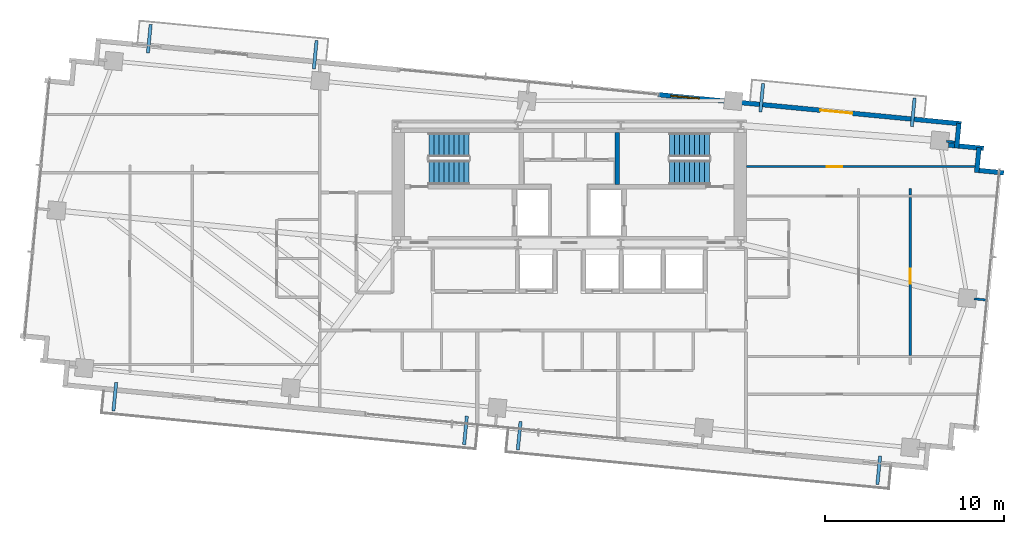
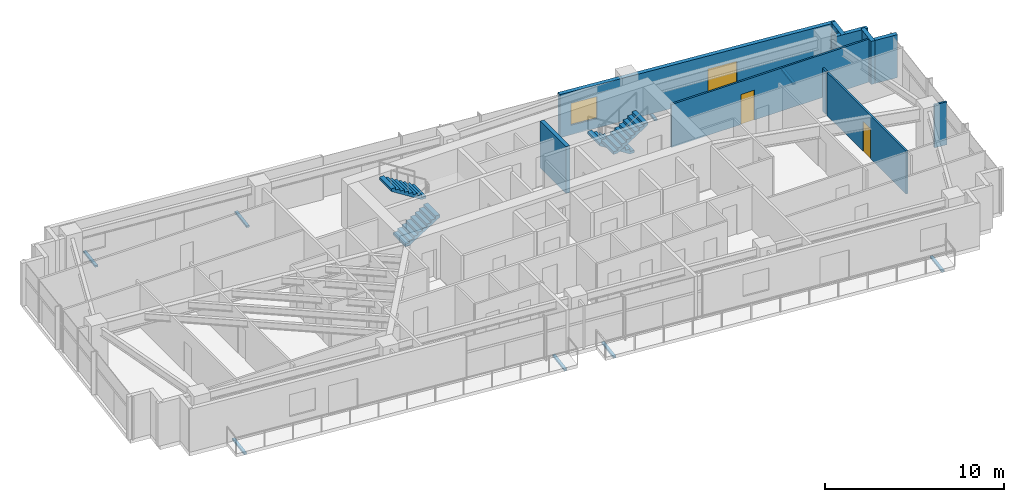
# One storey, part 17 of 19: 11 walls, 8 discrete accessories, 4 stair flights, 3 doors, 1 window, 4 openings, 2 elements without a shape of their own.
"""IFC4 building model written with IfcOpenShell, lengths in metres."""

import ifcopenshell
import ifcopenshell.guid

model = None  # the IFC model being written
_history = None  # IfcOwnerHistory: only IFC2X3 demands one
_inside = {}  # id of a spatial element -> (the spatial element, [elements in it])
_under = {}  # id of a project, library or spatial element -> (it, [spatial elements below it])
_declared = {}  # id of a project -> (the project, [libraries it declares])
_typed = {}  # id of a type object -> (the type object, [elements of that type])
_made_of = {}  # id of a material, layer set ... -> (it, [elements and type objects made of it])


def new_model(schema):
    """Start an empty IFC model of exactly this schema.

    Asked for "IFC4X3", IfcOpenShell would pick the latest addendum, in which some entities
    have other attributes; the version numbers below select the first issue.
    IFC2X3 requires an IfcOwnerHistory on every rooted entity: one is made here for all.
    """
    global model, _history
    if schema == "IFC4X3":
        model = ifcopenshell.file(schema_version=(4, 3, 0, 0))
    else:
        model = ifcopenshell.file(schema=schema)
    _inside.clear()
    _under.clear()
    _declared.clear()
    _typed.clear()
    _made_of.clear()
    _history = None
    if model.schema == "IFC2X3":
        org = make("IfcOrganization", Name="unknown")
        user = make(
            "IfcPersonAndOrganization",
            ThePerson=make("IfcPerson", FamilyName="unknown"),
            TheOrganization=org,
        )
        app = make(
            "IfcApplication",
            ApplicationDeveloper=org,
            Version="unknown",
            ApplicationFullName="unknown",
            ApplicationIdentifier="unknown",
        )
        _history = make(
            "IfcOwnerHistory",
            OwningUser=user,
            OwningApplication=app,
            ChangeAction="ADDED",
            CreationDate=0,
        )
    return model


def make(cls, **values):
    """One entity of the class cls with the attributes given. An attribute that is None is left unset."""
    return model.create_entity(
        cls, **{name: value for name, value in values.items() if value is not None}
    )


def rooted(cls, **values):
    """An entity with a GlobalId (a new one), such as an element, a storey or a relation."""
    return make(cls, GlobalId=ifcopenshell.guid.new(), OwnerHistory=_history, **values)


def si_unit(unit_type, name, prefix=None):
    """IfcSIUnit, for example si_unit("LENGTHUNIT", "METRE", prefix="MILLI")."""
    return make("IfcSIUnit", UnitType=unit_type, Prefix=prefix, Name=name)


def assignment(units):
    """IfcUnitAssignment: the units of a project."""
    return None if units is None else make("IfcUnitAssignment", Units=units)


def point(xyz):
    """IfcCartesianPoint."""
    return None if xyz is None else make("IfcCartesianPoint", Coordinates=xyz)


def direction(xyz):
    """IfcDirection."""
    return None if xyz is None else make("IfcDirection", DirectionRatios=xyz)


def frame(location, z_axis=None, x_axis=None):
    """IfcAxis2Placement3D, a coordinate frame: its origin and axes. An axis left out is left unset."""
    return make(
        "IfcAxis2Placement3D",
        Location=point(location),
        Axis=direction(z_axis),
        RefDirection=direction(x_axis),
    )


def frame_2d(location, x_axis=None):
    """IfcAxis2Placement2D, a coordinate frame in the plane: its origin and x axis."""
    return make(
        "IfcAxis2Placement2D", Location=point(location), RefDirection=direction(x_axis)
    )


def origin():
    """The frame at (0, 0, 0) with its axes left unset."""
    return frame((0.0, 0.0, 0.0))


def origin_2d():
    """The frame at (0, 0) in the plane with its x axis left unset."""
    return frame_2d((0.0, 0.0))


def place(relative_to, where):
    """IfcLocalPlacement: puts the frame where relative to a parent placement (None: the world)."""
    return make(
        "IfcLocalPlacement", PlacementRelTo=relative_to, RelativePlacement=where
    )


def context(
    kind, dimensions, precision=None, world=None, true_north=None, identifier=None
):
    """IfcGeometricRepresentationContext, for example the 3D "Model" context."""
    return make(
        "IfcGeometricRepresentationContext",
        ContextIdentifier=identifier,
        ContextType=kind,
        CoordinateSpaceDimension=dimensions,
        Precision=precision,
        WorldCoordinateSystem=world,
        TrueNorth=true_north,
    )


def subcontext(parent, identifier, kind, view, scale=None):
    """IfcGeometricRepresentationSubContext, for example "Body" below "Model"."""
    return make(
        "IfcGeometricRepresentationSubContext",
        ContextIdentifier=identifier,
        ContextType=kind,
        ParentContext=parent,
        TargetScale=scale,
        TargetView=view,
    )


def project(units=None, contexts=None):
    """IfcProject with its units and contexts."""
    return rooted(
        "IfcProject",
        Name="project",
        RepresentationContexts=contexts,
        UnitsInContext=assignment(units),
    )


def spatial(cls, under=None, at=None, **own):
    """A site, building, storey or space (cls), placed at a placement, below another one or the project."""
    s = rooted(cls, ObjectPlacement=at, **own)
    if under is not None:
        _under.setdefault(under.id(), (under, []))[1].append(s)
    return s


def polyline(points):
    """IfcPolyline through the points."""
    return make("IfcPolyline", Points=[point(p) for p in points])


def profile(cls, at=None, kind="AREA", **sizes):
    """A parametric profile (cls). Its sizes go by their IFC names, for example OverallWidth=200.0."""
    return make(cls, ProfileType=kind, Position=at, **sizes)


def rectangle(**sizes):
    """IfcRectangleProfileDef."""
    return profile("IfcRectangleProfileDef", **sizes)


def outline(outer, holes=None, kind="AREA"):
    """IfcArbitraryClosedProfileDef: a profile drawn as a closed curve; with holes, ...WithVoids."""
    if holes is None:
        return make("IfcArbitraryClosedProfileDef", ProfileType=kind, OuterCurve=outer)
    return make(
        "IfcArbitraryProfileDefWithVoids",
        ProfileType=kind,
        OuterCurve=outer,
        InnerCurves=holes,
    )


def extrude(swept, where, along, depth):
    """IfcExtrudedAreaSolid: the profile swept, set in the frame where, extruded along a direction by depth."""
    return make(
        "IfcExtrudedAreaSolid",
        SweptArea=swept,
        Position=where,
        ExtrudedDirection=direction(along),
        Depth=depth,
    )


def shape(context_of_items, identifier, shape_type, items):
    """IfcShapeRepresentation: the items that make up one representation, for example the "Body"."""
    return make(
        "IfcShapeRepresentation",
        ContextOfItems=context_of_items,
        RepresentationIdentifier=identifier,
        RepresentationType=shape_type,
        Items=items,
    )


def source(mapping_origin, context_of_items, identifier, shape_type, items):
    """IfcRepresentationMap: a shape defined once, which mapped items show again and again."""
    return make(
        "IfcRepresentationMap",
        MappingOrigin=mapping_origin,
        MappedRepresentation=shape(context_of_items, identifier, shape_type, items),
    )


def transform(
    local_origin,
    x_axis=None,
    y_axis=None,
    z_axis=None,
    scale=None,
    scale2=None,
    scale3=None,
    uniform=True,
):
    """IfcCartesianTransformationOperator3D, or its non-uniform kind. x_axis, y_axis, z_axis: its Axis1, 2, 3."""
    if uniform:
        return make(
            "IfcCartesianTransformationOperator3D",
            Axis1=direction(x_axis),
            Axis2=direction(y_axis),
            LocalOrigin=point(local_origin),
            Scale=scale,
            Axis3=direction(z_axis),
        )
    return make(
        "IfcCartesianTransformationOperator3DnonUniform",
        Axis1=direction(x_axis),
        Axis2=direction(y_axis),
        LocalOrigin=point(local_origin),
        Scale=scale,
        Axis3=direction(z_axis),
        Scale2=scale2,
        Scale3=scale3,
    )


def mapped(mapping_source, mapping_target):
    """IfcMappedItem: shows the shape of a source again, moved by a transform."""
    return make(
        "IfcMappedItem", MappingSource=mapping_source, MappingTarget=mapping_target
    )


def material(Name=None, Category=None):
    """IfcMaterial."""
    return make("IfcMaterial", Name=Name, Category=Category)


def layer(
    of_material, thickness, ventilated=None, Name=None, Category=None, Priority=None
):
    """IfcMaterialLayer: one layer of a wall or slab, of a material (None: an air gap)."""
    return make(
        "IfcMaterialLayer",
        Material=of_material,
        LayerThickness=thickness,
        IsVentilated=ventilated,
        Name=Name,
        Category=Category,
        Priority=Priority,
    )


def layer_set(layers, Name=None):
    """IfcMaterialLayerSet."""
    return make("IfcMaterialLayerSet", MaterialLayers=layers, LayerSetName=Name)


def made_of(thing, what):
    """Note that an element or type object is made of a material, layer set ...; save() writes the relation."""
    if what is not None:
        _made_of.setdefault(what.id(), (what, []))[1].append(thing)
    return thing


def type_object(cls, material=None, **own):
    """A type object (cls), such as IfcWallType, which elements share."""
    return made_of(rooted(cls, **own), material)


def type_shapes(of_type, sources):
    """Give a type object the sources (RepresentationMaps) that its elements show as mapped items."""
    of_type.RepresentationMaps = sources


def element(
    cls,
    number,
    at=None,
    inside=None,
    cuts=None,
    type_object=None,
    material=None,
    context=None,
    identifier="Body",
    shape_type=None,
    held_by="IfcProductDefinitionShape",
    body=None,
    shapes=None,
    **own,
):
    """One element of the class cls, such as IfcWall. Its Tag is "e" and its number.

    at: its placement. inside: the storey or other place that contains it. cuts: it is an
    opening in that element (IfcRelVoidsElement). A single representation is given by context,
    identifier, shape_type and body (its items); several are given by shapes. held_by: the class
    of the entity that holds the representations. save() writes the other relations.
    """
    e = rooted(cls, Tag="e%d" % number, ObjectPlacement=at, **own)
    if body is not None:
        shapes = [shape(context, identifier, shape_type, body)]
    if shapes is not None:
        e.Representation = make(held_by, Representations=shapes)
    if inside is not None:
        _inside.setdefault(inside.id(), (inside, []))[1].append(e)
    if cuts is not None:
        rooted(
            "IfcRelVoidsElement", RelatingBuildingElement=cuts, RelatedOpeningElement=e
        )
    if type_object is not None:
        _typed.setdefault(type_object.id(), (type_object, []))[1].append(e)
    return made_of(e, material)


def fill(opening, filler):
    """IfcRelFillsElement: the door or window that sits in an opening."""
    return rooted(
        "IfcRelFillsElement",
        RelatingOpeningElement=opening,
        RelatedBuildingElement=filler,
    )


def aggregate(whole, parts):
    """IfcRelAggregates: a whole, such as a stair, and the parts it consists of."""
    return rooted("IfcRelAggregates", RelatingObject=whole, RelatedObjects=parts)


def save(model, path):
    """Write the relations noted so far, then the file.

    IfcRelAggregates (storeys below a building ...), IfcRelContainedInSpatialStructure (elements
    in a storey), IfcRelDefinesByType, IfcRelAssociatesMaterial and IfcRelDeclares: one each for
    every whole, place, type object, material and project.
    """
    for whole, parts in _under.values():
        aggregate(whole, parts)
    for where, things in _inside.values():
        rooted(
            "IfcRelContainedInSpatialStructure",
            RelatedElements=things,
            RelatingStructure=where,
        )
    for kind, things in _typed.values():
        rooted("IfcRelDefinesByType", RelatedObjects=things, RelatingType=kind)
    for what, things in _made_of.values():
        rooted("IfcRelAssociatesMaterial", RelatedObjects=things, RelatingMaterial=what)
    for by, libraries in _declared.values():
        rooted("IfcRelDeclares", RelatingContext=by, RelatedDefinitions=libraries)
    model.write(path)


model = new_model("IFC4")

# Units and contexts
model_context = context("Model", 3, precision=1e-05, world=origin(), true_north=direction((0.0, 1.0)))
body_context = subcontext(model_context, "Body", "Model", "MODEL_VIEW")
ifc_project = project(units=[si_unit("LENGTHUNIT", "METRE"), si_unit("AREAUNIT", "SQUARE_METRE"), si_unit("VOLUMEUNIT", "CUBIC_METRE"), si_unit("PLANEANGLEUNIT", "RADIAN"), si_unit("MASSUNIT", "GRAM", prefix="KILO")], contexts=[model_context])

# Site, building, storey
site_placement = place(None, origin())
site = spatial("IfcSite", under=ifc_project, at=site_placement, CompositionType="ELEMENT")
building_placement = place(site_placement, origin())
building = spatial("IfcBuilding", under=site, at=building_placement, Name="Astriad Promenade Condominiums", CompositionType="ELEMENT")
storey_placement = place(building_placement, frame((0.0, 0.0, 150.199951171875)))
storey = spatial("IfcBuildingStorey", under=building, at=storey_placement, Name="L43", CompositionType="ELEMENT", Elevation=150.199951171875)

# Wall
ifc_material_1 = material(Name="Concrete C50/60", Category="concrete")
ifc_layer_1 = layer(ifc_material_1, 0.25)
ifc_layer_set_1 = layer_set([ifc_layer_1], Name="Concrete C50/60")
wall_type_1 = type_object("IfcWallType", Name="WALL-CORE-INT-250", PredefinedType="SOLIDWALL", material=ifc_layer_set_1)
wall_1_placement = place(storey_placement, frame((38.675048828125, 20.701904296875, 0.0), z_axis=(0.0, 0.0, 1.0), x_axis=(0.0, 1.0, 0.0)))
element("IfcWall", 1, at=wall_1_placement, inside=storey, type_object=wall_type_1, Name="CW-ST2-W-L43", PredefinedType="SOLIDWALL", context=body_context, shape_type="SweptSolid", body=[
    extrude(rectangle(XDim=2.89599609375, YDim=0.25, at=frame_2d((1.447998046875, 0.0))), origin(), (0.0, 0.0, 1.0), 3.199951171875),
])

# Wall, openings, door, window
ifc_material_2 = material(Name="Precast concrete C50/60", Category="concrete")
ifc_layer_2 = layer(ifc_material_2, 0.260009765625)
ifc_layer_set_2 = layer_set([ifc_layer_2], Name="Precast concrete C50/60")
wall_type_2 = type_object("IfcWallType", Name="WALL-EXT-TWR-260", PredefinedType="STANDARD", material=ifc_layer_set_2)
wall_2_placement = place(storey_placement, frame((40.9833984375, 25.726806640625, 0.0), z_axis=(0.0, 0.0, 1.0), x_axis=(0.995395844771, -0.095849424686, 0.0)))
wall_2 = element("IfcWall", 2, at=wall_2_placement, inside=storey, type_object=wall_type_2, Name="W-EXT-L43-N2", PredefinedType="STANDARD", context=body_context, shape_type="SweptSolid", body=[
    extrude(rectangle(XDim=17.009765625, YDim=0.260009765625, at=frame_2d((8.5048828125, 0.0))), origin(), (0.0, 0.0, 1.0), 2.93994140625),
])
opening_1_placement = place(wall_2_placement, frame((9.10009765625, 0.0, 0.0)))
opening_1 = element("IfcOpeningElement", 3, at=opening_1_placement, cuts=wall_2, Name="Opening BD-1822-SLD", PredefinedType="OPENING", context=body_context, shape_type="SweptSolid", body=[
    extrude(rectangle(XDim=1.800048828125, YDim=2.06005859375, at=frame_2d((0.89990234375, 1.030029296875))), frame((0.0, 0.139892578125, 0.0), z_axis=(0.0, -1.0, 0.0), x_axis=(1.0, 0.0, 0.0)), (0.0, 0.0, 1.0), 0.280029296875),
])
opening_2_placement = place(wall_2_placement, frame((0.699951171875, 0.0, 0.64990234375)))
opening_2 = element("IfcOpeningElement", 4, at=opening_2_placement, cuts=wall_2, Name="Opening WIN-TWR-1620", PredefinedType="OPENING", context=body_context, shape_type="SweptSolid", body=[
    extrude(rectangle(XDim=1.60009765625, YDim=1.5, at=frame_2d((0.800048828125, 0.75))), frame((0.0, 0.139892578125, 0.0), z_axis=(0.0, -1.0, 0.0), x_axis=(1.0, 0.0, 0.0)), (0.0, 0.0, 1.0), 0.280029296875),
])
ifc_material_3 = material(Name="Thermally Broken Aluminium Sliding Balcony Door", Category="aluminium")
door_type_1 = type_object("IfcDoorType", Name="BD-1822-SLD", OperationType="NOTDEFINED", PredefinedType="DOOR", material=ifc_material_3)
shared_shape_1 = source(origin(), body_context, "Body", "SweptSolid", [
    extrude(rectangle(XDim=1.800048828125, YDim=2.06005859375, at=frame_2d((0.89990234375, 1.030029296875))), frame((0.0, 0.02490234375, 0.0), z_axis=(0.0, -1.0, 0.0), x_axis=(1.0, 0.0, 0.0)), (0.0, 0.0, 1.0), 0.050048828125),
])
type_shapes(door_type_1, [shared_shape_1])
door_1_placement = place(opening_1_placement, origin())
door_1 = element("IfcDoor", 5, at=door_1_placement, inside=storey, type_object=door_type_1, Name="BD-L43-NE", OperationType="SLIDING_TO_RIGHT", OverallHeight=2.06005859375, OverallWidth=1.800048828125, PredefinedType="DOOR", context=body_context, shape_type="MappedRepresentation", body=[
    mapped(shared_shape_1, transform((0.0, 0.0, 0.0), scale=1.0)),
])
fill(opening_1, door_1)
ifc_material_4 = material(Name="Dark Tinted Triple-Glazed Aluminium Window", Category="aluminium")
window_type = type_object("IfcWindowType", Name="WIN-TWR-1620", PartitioningType="SINGLE_PANEL", PredefinedType="WINDOW", material=ifc_material_4)
shared_shape_2 = source(origin(), body_context, "Body", "SweptSolid", [
    extrude(rectangle(XDim=1.60009765625, YDim=1.5, at=frame_2d((0.800048828125, 0.75))), frame((0.0, 0.030029296875, 0.0), z_axis=(0.0, -1.0, 0.0), x_axis=(1.0, 0.0, 0.0)), (0.0, 0.0, 1.0), 0.06005859375),
])
type_shapes(window_type, [shared_shape_2])
window_placement = place(opening_2_placement, origin())
window = element("IfcWindow", 6, at=window_placement, inside=storey, type_object=window_type, Name="WIN-L43-NE", OverallHeight=1.5, OverallWidth=1.60009765625, PartitioningType="SINGLE_PANEL", PredefinedType="WINDOW", context=body_context, shape_type="MappedRepresentation", body=[
    mapped(shared_shape_2, transform((0.0, 0.0, 0.0), scale=1.0)),
])
fill(opening_2, window)

# Walls
wall_3_placement = place(storey_placement, frame((57.787109375, 24.123779296875, 0.0), z_axis=(0.0, 0.0, 1.0), x_axis=(-0.095915846097, -0.995389446633, 0.0)))
element("IfcWall", 7, at=wall_3_placement, inside=storey, type_object=wall_type_2, Name="W-SER-L43-09", PredefinedType="STANDARD", context=body_context, shape_type="SweptSolid", body=[
    extrude(rectangle(XDim=1.394775390625, YDim=0.260009765625, at=frame_2d((0.697265625, 0.0))), origin(), (0.0, 0.0, 1.0), 2.93994140625),
])
wall_4_placement = place(storey_placement, frame((57.199951171875, 22.909423828125, 0.0), z_axis=(0.0, 0.0, 1.0), x_axis=(0.995401789159, -0.095787672171, 0.0)))
element("IfcWall", 8, at=wall_4_placement, inside=storey, type_object=wall_type_2, Name="W-SER-L43-10", PredefinedType="STANDARD", context=body_context, shape_type="SweptSolid", body=[
    extrude(rectangle(XDim=1.977783203125, YDim=0.260009765625, at=frame_2d((0.98876953125, 0.0))), origin(), (0.0, 0.0, 1.0), 2.93994140625),
])
for number, where, z_axis, x_axis, name in (
    (9, (58.91162109375, 22.759765625, 0.0), (0.0, 0.0, 1.0), (-0.096072523012, -0.995374336781, 0.0), "W-SER-L43-11"),
    (10, (58.904541015625, 21.489501953125, 0.0), (0.0, 0.0, 1.0), (0.995391056452, -0.09589913835, 0.0), "W-SER-L43-12"),
):
    element("IfcWall", number, at=place(storey_placement, frame(where, z_axis=z_axis, x_axis=x_axis)), inside=storey, type_object=wall_type_2, Name=name, PredefinedType="STANDARD", context=body_context, shape_type="SweptSolid", body=[
        extrude(rectangle(XDim=1.39501953125, YDim=0.260009765625, at=frame_2d((0.697509765625, 0.0))), origin(), (0.0, 0.0, 1.0), 2.93994140625),
    ])

# Wall, opening, door
ifc_material_5 = material(Name="Acoustic Metal-Stud Gypsum Partition")
ifc_layer_3 = layer(ifc_material_5, 0.1201171875)
ifc_layer_set_3 = layer_set([ifc_layer_3], Name="Acoustic Metal-Stud Gypsum Partition")
wall_type_3 = type_object("IfcWallType", Name="WALL-PART-120", PredefinedType="PARTITIONING", material=ifc_layer_set_3)
wall_5_placement = place(storey_placement, frame((45.902099609375, 21.7060546875, 0.0), z_axis=(0.0, 0.0, 1.0), x_axis=(1.0, 0.0, 0.0)))
wall_5 = element("IfcWall", 11, at=wall_5_placement, inside=storey, type_object=wall_type_3, Name="PT-L43-E1-WDN2", PredefinedType="PARTITIONING", context=body_context, shape_type="SweptSolid", body=[
    extrude(rectangle(XDim=12.775146484375, YDim=0.1201171875, at=frame_2d((6.3876953125, 0.0))), origin(), (0.0, 0.0, 1.0), 2.93994140625),
])
opening_3_placement = place(wall_5_placement, frame((4.5009765625, 0.0, 0.0)))
opening_3 = element("IfcOpeningElement", 12, at=opening_3_placement, cuts=wall_5, Name="Opening D-INT-085", PredefinedType="OPENING", context=body_context, shape_type="SweptSolid", body=[
    extrude(rectangle(XDim=0.85009765625, YDim=2.050048828125, at=frame_2d((0.425048828125, 1.02490234375))), frame((0.0, 0.070068359375, 0.0), z_axis=(0.0, -1.0, 0.0), x_axis=(1.0, 0.0, 0.0)), (0.0, 0.0, 1.0), 0.14013671875),
])
ifc_material_6 = material(Name="Painted Solid-Core Timber Room Door", Category="wood")
door_type_2 = type_object("IfcDoorType", Name="D-INT-085", OperationType="NOTDEFINED", PredefinedType="DOOR", material=ifc_material_6)
shared_shape_3 = source(origin(), body_context, "Body", "SweptSolid", [
    extrude(rectangle(XDim=0.85009765625, YDim=2.050048828125, at=frame_2d((0.425048828125, 1.02490234375))), frame((0.0, 0.02490234375, 0.0), z_axis=(0.0, -1.0, 0.0), x_axis=(1.0, 0.0, 0.0)), (0.0, 0.0, 1.0), 0.050048828125),
])
type_shapes(door_type_2, [shared_shape_3])
door_2_placement = place(opening_3_placement, origin())
door_2 = element("IfcDoor", 13, at=door_2_placement, inside=storey, type_object=door_type_2, Name="D-WDN2-L43-E1", OperationType="SINGLE_SWING_RIGHT", OverallHeight=2.050048828125, OverallWidth=0.85009765625, PredefinedType="DOOR", context=body_context, shape_type="MappedRepresentation", body=[
    mapped(shared_shape_3, transform((0.0, 0.0, 0.0), scale=1.0)),
])
fill(opening_3, door_2)

wall_6_placement = place(storey_placement, frame((55.06103515625, 11.14306640625, 0.0), z_axis=(0.0, 0.0, 1.0), x_axis=(0.0, 1.0, 0.0)))
wall_6 = element("IfcWall", 14, at=wall_6_placement, inside=storey, type_object=wall_type_3, Name="PT-L43-E1-WDV5-S2", PredefinedType="PARTITIONING", context=body_context, shape_type="SweptSolid", body=[
    extrude(rectangle(XDim=8.847900390625, YDim=0.1201171875, at=frame_2d((4.423828125, 0.0))), origin(), (0.0, 0.0, 1.0), 2.93994140625),
])
opening_4_placement = place(wall_6_placement, frame((3.9990234375, 0.0, 0.0)))
opening_4 = element("IfcOpeningElement", 15, at=opening_4_placement, cuts=wall_6, Name="Opening D-INT-085", PredefinedType="OPENING", context=body_context, shape_type="SweptSolid", body=[
    extrude(rectangle(XDim=0.85009765625, YDim=2.050048828125, at=frame_2d((0.425048828125, 1.02490234375))), frame((0.0, 0.070068359375, 0.0), z_axis=(0.0, -1.0, 0.0), x_axis=(1.0, 0.0, 0.0)), (0.0, 0.0, 1.0), 0.14013671875),
])
door_3_placement = place(opening_4_placement, origin())
door_3 = element("IfcDoor", 16, at=door_3_placement, inside=storey, type_object=door_type_2, Name="D-WDV5-L43-E1", OperationType="SINGLE_SWING_LEFT", OverallHeight=2.050048828125, OverallWidth=0.85009765625, PredefinedType="DOOR", context=body_context, shape_type="MappedRepresentation", body=[
    mapped(shared_shape_3, transform((0.0, 0.0, 0.0), scale=1.0)),
])
fill(opening_4, door_3)

# Walls
wall_7_placement = place(storey_placement, frame((55.06103515625, 20.114990234375, 0.0), z_axis=(0.0, 0.0, 1.0), x_axis=(0.0, 1.0, 0.0)))
element("IfcWall", 17, at=wall_7_placement, inside=storey, type_object=wall_type_3, Name="PT-L43-E1-WDV5-S3", PredefinedType="PARTITIONING", context=body_context, shape_type="SweptSolid", body=[
    extrude(rectangle(XDim=0.3779296875, YDim=0.1201171875, at=frame_2d((0.18896484375, 0.0))), origin(), (0.0, 0.0, 1.0), 2.93994140625),
])
wall_8_placement = place(storey_placement, frame((57.09765625, 23.120361328125, 0.0), z_axis=(0.0, 0.0, 1.0), x_axis=(0.995384576284, -0.09596637586, 0.0)))
element("IfcWall", 18, at=wall_8_placement, inside=storey, type_object=wall_type_3, Name="PT-PIL-L43-PC10-17", PredefinedType="PARTITIONING", context=body_context, shape_type="SweptSolid", body=[
    extrude(rectangle(XDim=0.4580078125, YDim=0.1201171875, at=frame_2d((0.22900390625, 0.0))), origin(), (0.0, 0.0, 1.0), 2.93994140625),
])
wall_9_placement = place(storey_placement, frame((58.640380859375, 14.31201171875, 0.0), z_axis=(0.0, 0.0, 1.0), x_axis=(0.995377786728, -0.096036772582, 0.0)))
element("IfcWall", 19, at=wall_9_placement, inside=storey, type_object=wall_type_3, Name="PT-PIL-L43-PC12-19", PredefinedType="PARTITIONING", context=body_context, shape_type="SweptSolid", body=[
    extrude(rectangle(XDim=0.760009765625, YDim=0.1201171875, at=frame_2d((0.3798828125, 0.0))), origin(), (0.0, 0.0, 1.0), 2.93994140625),
])

# Stair, stair flights
stair_type = type_object("IfcStairType", Name="STR-CORE-1350", PredefinedType="HALF_TURN_STAIR", material=ifc_material_1)
stair_1_placement = place(storey_placement, origin())
stair_1 = element("IfcStair", 20, at=stair_1_placement, inside=storey, type_object=stair_type, Name="L43 Enclosed Core Exit Stair ST-1", PredefinedType="HALF_TURN_STAIR")
stair_flight_type = type_object("IfcStairFlightType", Name="SFL-CORE-1350", PredefinedType="STRAIGHT", material=ifc_material_1)
shared_shape_4 = source(origin(), body_context, "Body", "SweptSolid", [
    extrude(outline(polyline([(0.0, 0.0), (0.0, 0.177734375), (0.280029296875, 0.177734375), (0.280029296875, 0.35546875), (0.56005859375, 0.35546875), (0.56005859375, 0.533447265625), (0.840087890625, 0.533447265625), (0.840087890625, 0.711181640625), (1.1201171875, 0.711181640625), (1.1201171875, 0.888916015625), (1.39990234375, 0.888916015625), (1.39990234375, 1.066650390625), (1.679931640625, 1.066650390625), (1.679931640625, 1.244384765625), (1.9599609375, 1.244384765625), (1.9599609375, 1.422119140625), (2.239990234375, 1.422119140625), (2.239990234375, 1.60009765625), (2.239990234375, 1.24462890625), (0.27978515625, 0.0), (0.0, 0.0)])), frame((0.0, 0.675048828125, 0.0), z_axis=(0.0, -1.0, 0.0), x_axis=(1.0, 0.0, 0.0)), (0.0, 0.0, 1.0), 1.35009765625),
])
type_shapes(stair_flight_type, [shared_shape_4])
stair_flight_1_placement = place(storey_placement, frame((28.14990234375, 21.375, 0.0), z_axis=(0.0, 0.0, 1.0), x_axis=(1.0, 0.0, 0.0)))
stair_flight_1 = element("IfcStairFlight", 21, at=stair_flight_1_placement, type_object=stair_flight_type, Name="ST-1 flight 1", NumberOfRisers=9, NumberOfTreads=8, PredefinedType="STRAIGHT", RiserHeight=0.177777778, TreadLength=0.28, context=body_context, shape_type="MappedRepresentation", body=[
    mapped(shared_shape_4, transform((0.0, 0.0, 0.0), scale=1.0)),
])
stair_flight_2_placement = place(storey_placement, frame((30.389892578125, 22.925048828125, 1.60009765625), z_axis=(0.0, 0.0, 1.0), x_axis=(-1.0, 0.0, 0.0)))
stair_flight_2 = element("IfcStairFlight", 22, at=stair_flight_2_placement, type_object=stair_flight_type, Name="ST-1 flight 2", NumberOfRisers=9, NumberOfTreads=8, PredefinedType="STRAIGHT", RiserHeight=0.177777778, TreadLength=0.28, context=body_context, shape_type="MappedRepresentation", body=[
    mapped(shared_shape_4, transform((0.0, 0.0, 0.0), scale=1.0)),
])
aggregate(stair_1, [stair_flight_1, stair_flight_2])

stair_2_placement = place(storey_placement, origin())
stair_2 = element("IfcStair", 23, at=stair_2_placement, inside=storey, type_object=stair_type, Name="L43 Enclosed Core Exit Stair ST-2", PredefinedType="HALF_TURN_STAIR")
stair_flight_3_placement = place(storey_placement, frame((43.85009765625, 22.925048828125, 0.0), z_axis=(0.0, 0.0, 1.0), x_axis=(-1.0, 0.0, 0.0)))
stair_flight_3 = element("IfcStairFlight", 24, at=stair_flight_3_placement, type_object=stair_flight_type, Name="ST-2 flight 1", NumberOfRisers=9, NumberOfTreads=8, PredefinedType="STRAIGHT", RiserHeight=0.177777778, TreadLength=0.28, context=body_context, shape_type="MappedRepresentation", body=[
    mapped(shared_shape_4, transform((0.0, 0.0, 0.0), scale=1.0)),
])
stair_flight_4_placement = place(storey_placement, frame((41.610107421875, 21.375, 1.60009765625), z_axis=(0.0, 0.0, 1.0), x_axis=(1.0, 0.0, 0.0)))
stair_flight_4 = element("IfcStairFlight", 25, at=stair_flight_4_placement, type_object=stair_flight_type, Name="ST-2 flight 2", NumberOfRisers=9, NumberOfTreads=8, PredefinedType="STRAIGHT", RiserHeight=0.177777778, TreadLength=0.28, context=body_context, shape_type="MappedRepresentation", body=[
    mapped(shared_shape_4, transform((0.0, 0.0, 0.0), scale=1.0)),
])
aggregate(stair_2, [stair_flight_3, stair_flight_4])

# Discrete accessories
ifc_material_7 = material(Name="Steel ASTM A572 Grade 50", Category="steel")
discrete_accessory_type = type_object("IfcDiscreteAccessoryType", Name="STEEL BALCONY OUTRIGGER BRACKET", PredefinedType="BRACKET", material=ifc_material_7)
shared_shape_5 = source(origin(), body_context, "Body", "SweptSolid", [
    extrude(rectangle(XDim=1.60009765625, YDim=0.179931640625, at=origin_2d()), origin(), (0.0, 0.0, 1.0), 0.1220703125),
])
type_shapes(discrete_accessory_type, [shared_shape_5])
for number, where, z_axis, x_axis, name in (
    (26, (10.595947265625, 8.841552734375, -0.340087890625), (0.0, 0.0, 1.0), (-0.09584575252, -0.995396198367, 0.0), "Balcony Outrigger Bracket BAL-L43-SW-A"),
    (27, (30.2001953125, 6.953857421875, -0.340087890625), (0.0, 0.0, 1.0), (-0.09584575252, -0.995396198367, 0.0), "Balcony Outrigger Bracket BAL-L43-SW-B"),
    (28, (33.202392578125, 6.664794921875, -0.340087890625), (0.0, 0.0, 1.0), (-0.09584575252, -0.995396198367, 0.0), "Balcony Outrigger Bracket BAL-L43-SE-A"),
    (29, (53.304443359375, 4.729248046875, -0.340087890625), (0.0, 0.0, 1.0), (-0.09584575252, -0.995396198367, 0.0), "Balcony Outrigger Bracket BAL-L43-SE-B"),
    (30, (12.5224609375, 28.84912109375, -0.340087890625), (0.0, 0.0, 1.0), (0.09584575252, 0.995396198367, 0.0), "Balcony Outrigger Bracket BAL-L43-NW-A"),
    (31, (21.798583984375, 27.955810546875, -0.340087890625), (0.0, 0.0, 1.0), (0.09584575252, 0.995396198367, 0.0), "Balcony Outrigger Bracket BAL-L43-NW-B"),
    (32, (46.76318359375, 25.552001953125, -0.340087890625), (0.0, 0.0, 1.0), (0.09584575252, 0.995396198367, 0.0), "Balcony Outrigger Bracket BAL-L43-NE-A"),
    (33, (55.23095703125, 24.736572265625, -0.340087890625), (0.0, 0.0, 1.0), (0.09584575252, 0.995396198367, 0.0), "Balcony Outrigger Bracket BAL-L43-NE-B"),
):
    element("IfcDiscreteAccessory", number, at=place(storey_placement, frame(where, z_axis=z_axis, x_axis=x_axis)), inside=storey, type_object=discrete_accessory_type, Name=name, PredefinedType="BRACKET", context=body_context, shape_type="MappedRepresentation", body=[
        mapped(shared_shape_5, transform((0.0, 0.0, 0.0), scale=1.0)),
    ])

save(model, "model.ifc")
